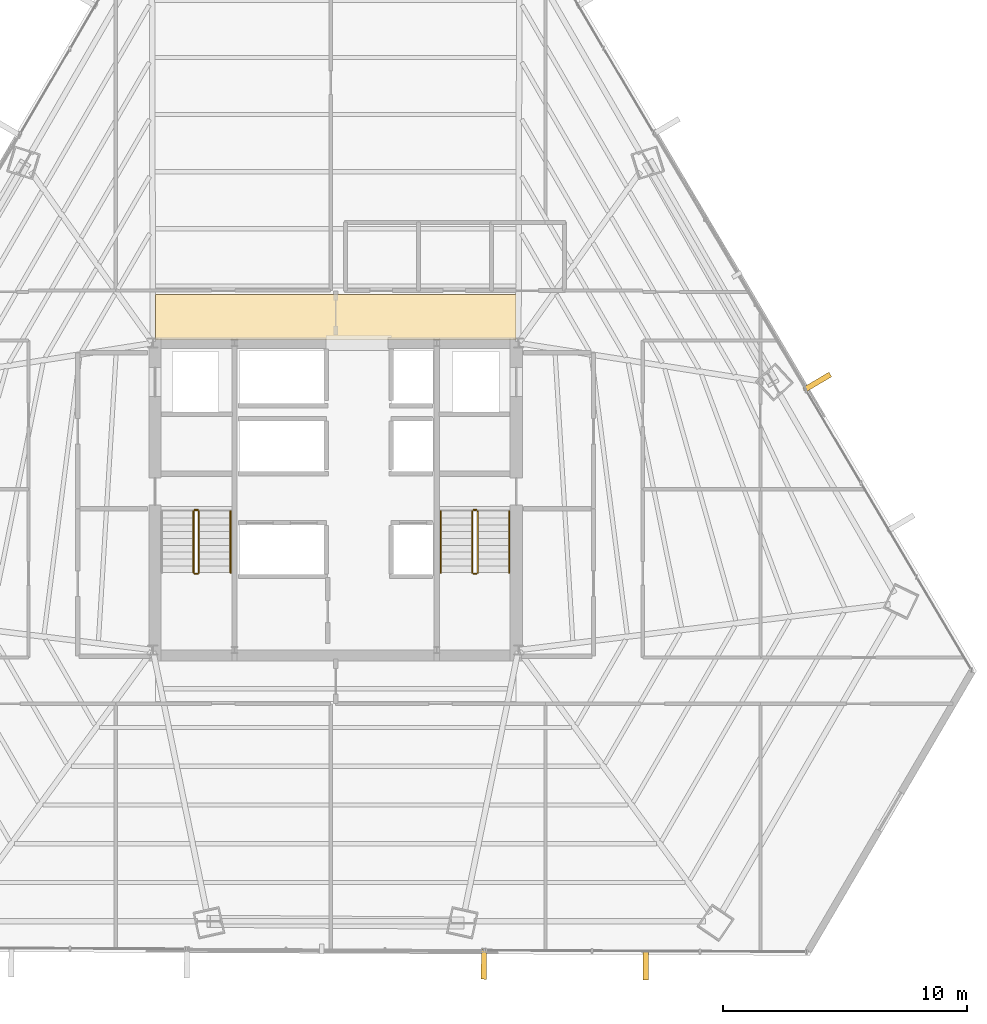
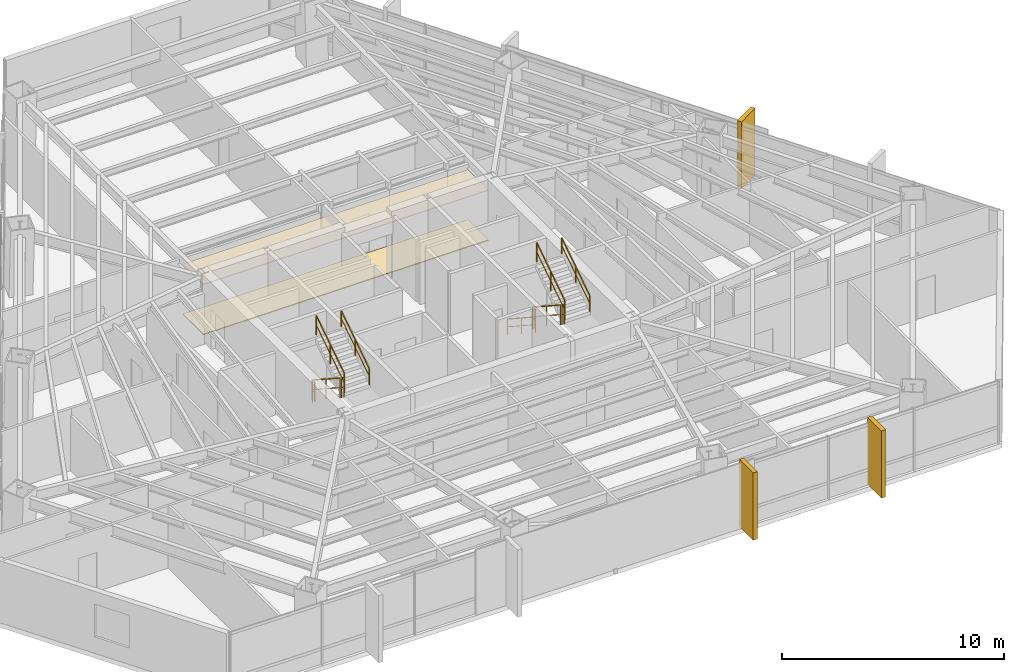
# One storey, part 34 of 35: 11 railings, 5 coverings.
"""IFC4 building model written with IfcOpenShell, lengths in metres."""

from ifc_helpers import new_model, si_unit, direction, frame, origin, origin_2d, place, context, subcontext, project, spatial, polyline, rectangle, outline, extrude, source, transform, mapped, material, layer, layer_set, type_object, type_shapes, element, save


model = new_model("IFC4")

# Units and contexts
model_context = context("Model", 3, precision=1e-05, world=origin(), true_north=direction((0.0, 1.0)))
body_context = subcontext(model_context, "Body", "Model", "MODEL_VIEW")
ifc_project = project(units=[si_unit("LENGTHUNIT", "METRE"), si_unit("AREAUNIT", "SQUARE_METRE"), si_unit("VOLUMEUNIT", "CUBIC_METRE"), si_unit("PLANEANGLEUNIT", "RADIAN"), si_unit("MASSUNIT", "GRAM", prefix="KILO")], contexts=[model_context])

# Site, building, storey
site_placement = place(None, origin())
site = spatial("IfcSite", under=ifc_project, at=site_placement, CompositionType="ELEMENT")
building_placement = place(site_placement, origin())
building = spatial("IfcBuilding", under=site, at=building_placement, Name="Caelisora Broadcast Tower", CompositionType="ELEMENT")
storey_placement = place(building_placement, frame((0.0, 0.0, 98.10009765625)))
storey = spatial("IfcBuildingStorey", under=building, at=storey_placement, Name="L25", CompositionType="ELEMENT", Elevation=98.10009765625)

# Coverings
ifc_material_1 = material(Name="Perforated Mineral-Fibre Acoustic Ceiling Tile", Category="gypsum")
ifc_layer_1 = layer(ifc_material_1, 0.034912109375, Name="Perforated Mineral-Fibre Acoustic Ceiling Tile")
ifc_layer_set_1 = layer_set([ifc_layer_1], Name="Perforated Mineral-Fibre Acoustic Ceiling Tile")
covering_type_1 = type_object("IfcCoveringType", Name="CE-1", PredefinedType="CEILING", material=ifc_layer_set_1)
covering_1_placement = place(storey_placement, frame((0.0, 0.0, 2.75)))
element("IfcCovering", 1, at=covering_1_placement, inside=storey, type_object=covering_type_1, Name="L25 acoustic corridor ceiling CE-1 (N)", PredefinedType="CEILING", context=body_context, shape_type="SweptSolid", body=[
    extrude(outline(polyline([(30.60009765625, 30.14990234375), (45.39990234375, 30.14990234375), (45.39990234375, 32.0), (30.60009765625, 32.0), (30.60009765625, 30.14990234375)])), origin(), (0.0, 0.0, 1.0), 0.034912109375),
])
ifc_material_2 = material(Name="Anti-Static Broadcast Raised Access Floor Panel", Category="steel")
ifc_layer_2 = layer(ifc_material_2, 0.044921875, Name="Anti-Static Broadcast Raised Access Floor Panel")
ifc_layer_set_2 = layer_set([ifc_layer_2], Name="Anti-Static Broadcast Raised Access Floor Panel")
covering_type_2 = type_object("IfcCoveringType", Name="FL-1", PredefinedType="FLOORING", material=ifc_layer_set_2)
covering_2_placement = place(storey_placement, origin())
element("IfcCovering", 2, at=covering_2_placement, inside=storey, type_object=covering_type_2, Name="L25 broadcast raised access floor FL-1 (N)", PredefinedType="FLOORING", context=body_context, shape_type="SweptSolid", body=[
    extrude(outline(polyline([(30.60009765625, 30.14990234375), (45.39990234375, 30.14990234375), (45.39990234375, 32.0), (30.60009765625, 32.0), (30.60009765625, 30.14990234375)])), origin(), (0.0, 0.0, 1.0), 0.044921875),
])

# Railings
ifc_material_3 = material(Name="Galvanised Steel Safety Guardrail", Category="steel")
ifc_layer_3 = layer(ifc_material_3, 0.048095703125, Name="Galvanised Steel Safety Guardrail")
ifc_layer_set_3 = layer_set([ifc_layer_3], Name="Galvanised Steel Safety Guardrail")
railing_type_1 = type_object("IfcRailingType", Name="GR-1", PredefinedType="GUARDRAIL", material=ifc_layer_set_3)
railing_1_placement = place(storey_placement, frame((32.169921875, 23.10009765625, 0.182373046875)))
element("IfcRailing", 3, at=railing_1_placement, inside=storey, type_object=railing_type_1, Name="L25 ST-1 stair guard 1", PredefinedType="GUARDRAIL", context=body_context, shape_type="SweptSolid", body=[
    extrude(rectangle(XDim=0.048095703125, YDim=0.048095703125, at=origin_2d()), frame((0.0, 0.0, 1.076171875), z_axis=(0.0, -0.837749427056, 0.546054848405), x_axis=(1.0, 0.0, 0.0)), (0.0, 0.0, 1.0), 3.008056640625),
    extrude(rectangle(XDim=0.03125, YDim=0.03125, at=origin_2d()), frame((0.0, 0.0, 0.550048828125), z_axis=(0.0, -0.837749427056, 0.546054848405), x_axis=(1.0, 0.0, 0.0)), (0.0, 0.0, 1.0), 3.008056640625),
    extrude(rectangle(XDim=0.0419921875, YDim=0.0419921875, at=origin_2d()), origin(), (0.0, 0.0, 1.0), 1.052001953125),
    extrude(rectangle(XDim=0.0419921875, YDim=0.0419921875, at=origin_2d()), frame((0.0, -1.260009765625, 0.8212890625)), (0.0, 0.0, 1.0), 1.052001953125),
    extrude(rectangle(XDim=0.0419921875, YDim=0.0419921875, at=origin_2d()), frame((0.0, -2.52001953125, 1.642578125)), (0.0, 0.0, 1.0), 1.052001953125),
])
railing_2_placement = place(storey_placement, frame((32.219970703125, 20.530029296875, 1.824951171875)))
element("IfcRailing", 4, at=railing_2_placement, inside=storey, type_object=railing_type_1, Name="L25 ST-1 stair guard 2", PredefinedType="GUARDRAIL", context=body_context, shape_type="SweptSolid", body=[
    extrude(rectangle(XDim=0.048095703125, YDim=0.048095703125, at=origin_2d()), frame((0.0, 0.0, 1.076171875), z_axis=(1.0, 0.0, 0.0), x_axis=(0.0, 1.0, 0.0)), (0.0, 0.0, 1.0), 0.1201171875),
    extrude(rectangle(XDim=0.03125, YDim=0.03125, at=origin_2d()), frame((0.0, 0.0, 0.550048828125), z_axis=(1.0, 0.0, 0.0), x_axis=(0.0, 1.0, 0.0)), (0.0, 0.0, 1.0), 0.1201171875),
    extrude(rectangle(XDim=0.0419921875, YDim=0.0419921875, at=origin_2d()), origin(), (0.0, 0.0, 1.0), 1.052001953125),
    extrude(rectangle(XDim=0.0419921875, YDim=0.0419921875, at=origin_2d()), frame((0.1201171875, 0.0, 0.0)), (0.0, 0.0, 1.0), 1.052001953125),
])
railing_3_placement = place(storey_placement, frame((32.389892578125, 20.580078125, 2.00732421875)))
element("IfcRailing", 5, at=railing_3_placement, inside=storey, type_object=railing_type_1, Name="L25 ST-1 stair guard 3", PredefinedType="GUARDRAIL", context=body_context, shape_type="SweptSolid", body=[
    extrude(rectangle(XDim=0.048095703125, YDim=0.048095703125, at=origin_2d()), frame((0.0, 0.0, 1.076171875), z_axis=(0.0, 0.837749427056, 0.546054848405), x_axis=(-1.0, 0.0, 0.0)), (0.0, 0.0, 1.0), 3.008056640625),
    extrude(rectangle(XDim=0.03125, YDim=0.03125, at=origin_2d()), frame((0.0, 0.0, 0.550048828125), z_axis=(0.0, 0.837749427056, 0.546054848405), x_axis=(-1.0, 0.0, 0.0)), (0.0, 0.0, 1.0), 3.008056640625),
    extrude(rectangle(XDim=0.0419921875, YDim=0.0419921875, at=origin_2d()), origin(), (0.0, 0.0, 1.0), 1.052001953125),
    extrude(rectangle(XDim=0.0419921875, YDim=0.0419921875, at=origin_2d()), frame((0.0, 1.260009765625, 0.8212890625)), (0.0, 0.0, 1.0), 1.052001953125),
    extrude(rectangle(XDim=0.0419921875, YDim=0.0419921875, at=origin_2d()), frame((0.0, 2.52001953125, 1.642578125)), (0.0, 0.0, 1.0), 1.052001953125),
])
railing_4_placement = place(storey_placement, frame((32.219970703125, 23.14990234375, 0.0)))
element("IfcRailing", 6, at=railing_4_placement, inside=storey, type_object=railing_type_1, Name="L25 ST-1 stair guard 4", PredefinedType="GUARDRAIL", context=body_context, shape_type="SweptSolid", body=[
    extrude(rectangle(XDim=0.048095703125, YDim=0.048095703125, at=origin_2d()), frame((0.0, 0.0, 1.076171875), z_axis=(1.0, 0.0, 0.0), x_axis=(0.0, 1.0, 0.0)), (0.0, 0.0, 1.0), 0.1201171875),
    extrude(rectangle(XDim=0.03125, YDim=0.03125, at=origin_2d()), frame((0.0, 0.0, 0.550048828125), z_axis=(1.0, 0.0, 0.0), x_axis=(0.0, 1.0, 0.0)), (0.0, 0.0, 1.0), 0.1201171875),
    extrude(rectangle(XDim=0.0419921875, YDim=0.0419921875, at=origin_2d()), origin(), (0.0, 0.0, 1.0), 1.052001953125),
    extrude(rectangle(XDim=0.0419921875, YDim=0.0419921875, at=origin_2d()), frame((0.1201171875, 0.0, 0.0)), (0.0, 0.0, 1.0), 1.052001953125),
])
railing_5_placement = place(storey_placement, frame((43.610107421875, 23.10009765625, 0.182373046875)))
element("IfcRailing", 7, at=railing_5_placement, inside=storey, type_object=railing_type_1, Name="L25 ST-2 stair guard 1", PredefinedType="GUARDRAIL", context=body_context, shape_type="SweptSolid", body=[
    extrude(rectangle(XDim=0.048095703125, YDim=0.048095703125, at=origin_2d()), frame((0.0, 0.0, 1.076171875), z_axis=(0.0, -0.837749427056, 0.546054848405), x_axis=(1.0, 0.0, 0.0)), (0.0, 0.0, 1.0), 3.008056640625),
    extrude(rectangle(XDim=0.03125, YDim=0.03125, at=origin_2d()), frame((0.0, 0.0, 0.550048828125), z_axis=(0.0, -0.837749427056, 0.546054848405), x_axis=(1.0, 0.0, 0.0)), (0.0, 0.0, 1.0), 3.008056640625),
    extrude(rectangle(XDim=0.0419921875, YDim=0.0419921875, at=origin_2d()), origin(), (0.0, 0.0, 1.0), 1.052001953125),
    extrude(rectangle(XDim=0.0419921875, YDim=0.0419921875, at=origin_2d()), frame((0.0, -1.260009765625, 0.8212890625)), (0.0, 0.0, 1.0), 1.052001953125),
    extrude(rectangle(XDim=0.0419921875, YDim=0.0419921875, at=origin_2d()), frame((0.0, -2.52001953125, 1.642578125)), (0.0, 0.0, 1.0), 1.052001953125),
])
railing_6_placement = place(storey_placement, frame((43.659912109375, 20.530029296875, 1.824951171875)))
element("IfcRailing", 8, at=railing_6_placement, inside=storey, type_object=railing_type_1, Name="L25 ST-2 stair guard 2", PredefinedType="GUARDRAIL", context=body_context, shape_type="SweptSolid", body=[
    extrude(rectangle(XDim=0.048095703125, YDim=0.048095703125, at=origin_2d()), frame((0.0, 0.0, 1.076171875), z_axis=(1.0, 0.0, 0.0), x_axis=(0.0, 1.0, 0.0)), (0.0, 0.0, 1.0), 0.1201171875),
    extrude(rectangle(XDim=0.03125, YDim=0.03125, at=origin_2d()), frame((0.0, 0.0, 0.550048828125), z_axis=(1.0, 0.0, 0.0), x_axis=(0.0, 1.0, 0.0)), (0.0, 0.0, 1.0), 0.1201171875),
    extrude(rectangle(XDim=0.0419921875, YDim=0.0419921875, at=origin_2d()), origin(), (0.0, 0.0, 1.0), 1.052001953125),
    extrude(rectangle(XDim=0.0419921875, YDim=0.0419921875, at=origin_2d()), frame((0.1201171875, 0.0, 0.0)), (0.0, 0.0, 1.0), 1.052001953125),
])
railing_7_placement = place(storey_placement, frame((43.830078125, 20.580078125, 2.00732421875)))
element("IfcRailing", 9, at=railing_7_placement, inside=storey, type_object=railing_type_1, Name="L25 ST-2 stair guard 3", PredefinedType="GUARDRAIL", context=body_context, shape_type="SweptSolid", body=[
    extrude(rectangle(XDim=0.048095703125, YDim=0.048095703125, at=origin_2d()), frame((0.0, 0.0, 1.076171875), z_axis=(0.0, 0.837749427056, 0.546054848405), x_axis=(-1.0, 0.0, 0.0)), (0.0, 0.0, 1.0), 3.008056640625),
    extrude(rectangle(XDim=0.03125, YDim=0.03125, at=origin_2d()), frame((0.0, 0.0, 0.550048828125), z_axis=(0.0, 0.837749427056, 0.546054848405), x_axis=(-1.0, 0.0, 0.0)), (0.0, 0.0, 1.0), 3.008056640625),
    extrude(rectangle(XDim=0.0419921875, YDim=0.0419921875, at=origin_2d()), origin(), (0.0, 0.0, 1.0), 1.052001953125),
    extrude(rectangle(XDim=0.0419921875, YDim=0.0419921875, at=origin_2d()), frame((0.0, 1.260009765625, 0.8212890625)), (0.0, 0.0, 1.0), 1.052001953125),
    extrude(rectangle(XDim=0.0419921875, YDim=0.0419921875, at=origin_2d()), frame((0.0, 2.52001953125, 1.642578125)), (0.0, 0.0, 1.0), 1.052001953125),
])
railing_8_placement = place(storey_placement, frame((43.659912109375, 23.14990234375, 0.0)))
element("IfcRailing", 10, at=railing_8_placement, inside=storey, type_object=railing_type_1, Name="L25 ST-2 stair guard 4", PredefinedType="GUARDRAIL", context=body_context, shape_type="SweptSolid", body=[
    extrude(rectangle(XDim=0.048095703125, YDim=0.048095703125, at=origin_2d()), frame((0.0, 0.0, 1.076171875), z_axis=(1.0, 0.0, 0.0), x_axis=(0.0, 1.0, 0.0)), (0.0, 0.0, 1.0), 0.1201171875),
    extrude(rectangle(XDim=0.03125, YDim=0.03125, at=origin_2d()), frame((0.0, 0.0, 0.550048828125), z_axis=(1.0, 0.0, 0.0), x_axis=(0.0, 1.0, 0.0)), (0.0, 0.0, 1.0), 0.1201171875),
    extrude(rectangle(XDim=0.0419921875, YDim=0.0419921875, at=origin_2d()), origin(), (0.0, 0.0, 1.0), 1.052001953125),
    extrude(rectangle(XDim=0.0419921875, YDim=0.0419921875, at=origin_2d()), frame((0.1201171875, 0.0, 0.0)), (0.0, 0.0, 1.0), 1.052001953125),
])
ifc_material_4 = material(Name="Stainless Steel Grade 316 Tubular Handrail", Category="steel")
ifc_layer_4 = layer(ifc_material_4, 0.048095703125, Name="Stainless Steel Grade 316 Tubular Handrail")
ifc_layer_set_4 = layer_set([ifc_layer_4], Name="Stainless Steel Grade 316 Tubular Handrail")
railing_type_2 = type_object("IfcRailingType", Name="HR-1", PredefinedType="HANDRAIL", material=ifc_layer_set_4)
railing_9_placement = place(storey_placement, frame((33.68994140625, 20.580078125, 2.00732421875)))
element("IfcRailing", 11, at=railing_9_placement, inside=storey, type_object=railing_type_2, Name="L25 ST-1 stair handrail 2", PredefinedType="HANDRAIL", context=body_context, shape_type="SweptSolid", body=[
    extrude(rectangle(XDim=0.048095703125, YDim=0.048095703125, at=origin_2d()), frame((0.0, 0.0, 0.8759765625), z_axis=(0.0, 0.837749427056, 0.546054848405), x_axis=(-1.0, 0.0, 0.0)), (0.0, 0.0, 1.0), 3.008056640625),
    extrude(rectangle(XDim=0.03125, YDim=0.03125, at=origin_2d()), frame((0.0, 0.0, 0.449951171875), z_axis=(0.0, 0.837749427056, 0.546054848405), x_axis=(-1.0, 0.0, 0.0)), (0.0, 0.0, 1.0), 3.008056640625),
    extrude(rectangle(XDim=0.0419921875, YDim=0.0419921875, at=origin_2d()), origin(), (0.0, 0.0, 1.0), 0.851806640625),
    extrude(rectangle(XDim=0.0419921875, YDim=0.0419921875, at=origin_2d()), frame((0.0, 1.260009765625, 0.8212890625)), (0.0, 0.0, 1.0), 0.851806640625),
    extrude(rectangle(XDim=0.0419921875, YDim=0.0419921875, at=origin_2d()), frame((0.0, 2.52001953125, 1.642578125)), (0.0, 0.0, 1.0), 0.851806640625),
])
railing_10_placement = place(storey_placement, frame((42.31005859375, 23.10009765625, 0.182373046875)))
element("IfcRailing", 12, at=railing_10_placement, inside=storey, type_object=railing_type_2, Name="L25 ST-2 stair handrail 1", PredefinedType="HANDRAIL", context=body_context, shape_type="SweptSolid", body=[
    extrude(rectangle(XDim=0.048095703125, YDim=0.048095703125, at=origin_2d()), frame((0.0, 0.0, 0.8759765625), z_axis=(0.0, -0.837749427056, 0.546054848405), x_axis=(1.0, 0.0, 0.0)), (0.0, 0.0, 1.0), 3.008056640625),
    extrude(rectangle(XDim=0.03125, YDim=0.03125, at=origin_2d()), frame((0.0, 0.0, 0.449951171875), z_axis=(0.0, -0.837749427056, 0.546054848405), x_axis=(1.0, 0.0, 0.0)), (0.0, 0.0, 1.0), 3.008056640625),
    extrude(rectangle(XDim=0.0419921875, YDim=0.0419921875, at=origin_2d()), origin(), (0.0, 0.0, 1.0), 0.851806640625),
    extrude(rectangle(XDim=0.0419921875, YDim=0.0419921875, at=origin_2d()), frame((0.0, -1.260009765625, 0.8212890625)), (0.0, 0.0, 1.0), 0.851806640625),
    extrude(rectangle(XDim=0.0419921875, YDim=0.0419921875, at=origin_2d()), frame((0.0, -2.52001953125, 1.642578125)), (0.0, 0.0, 1.0), 0.851806640625),
])
railing_11_placement = place(storey_placement, frame((45.1298828125, 20.580078125, 2.00732421875)))
element("IfcRailing", 13, at=railing_11_placement, inside=storey, type_object=railing_type_2, Name="L25 ST-2 stair handrail 2", PredefinedType="HANDRAIL", context=body_context, shape_type="SweptSolid", body=[
    extrude(rectangle(XDim=0.048095703125, YDim=0.048095703125, at=origin_2d()), frame((0.0, 0.0, 0.8759765625), z_axis=(0.0, 0.837749427056, 0.546054848405), x_axis=(-1.0, 0.0, 0.0)), (0.0, 0.0, 1.0), 3.008056640625),
    extrude(rectangle(XDim=0.03125, YDim=0.03125, at=origin_2d()), frame((0.0, 0.0, 0.449951171875), z_axis=(0.0, 0.837749427056, 0.546054848405), x_axis=(-1.0, 0.0, 0.0)), (0.0, 0.0, 1.0), 3.008056640625),
    extrude(rectangle(XDim=0.0419921875, YDim=0.0419921875, at=origin_2d()), origin(), (0.0, 0.0, 1.0), 0.851806640625),
    extrude(rectangle(XDim=0.0419921875, YDim=0.0419921875, at=origin_2d()), frame((0.0, 1.260009765625, 0.8212890625)), (0.0, 0.0, 1.0), 0.851806640625),
    extrude(rectangle(XDim=0.0419921875, YDim=0.0419921875, at=origin_2d()), frame((0.0, 2.52001953125, 1.642578125)), (0.0, 0.0, 1.0), 0.851806640625),
])

# Coverings
ifc_material_5 = material(Name="Kiln-Fired Terracotta Spandrel Rainscreen Cladding", Category="ceramic")
ifc_layer_5 = layer(ifc_material_5, 0.044921875, Name="Kiln-Fired Terracotta Spandrel Rainscreen Cladding")
ifc_layer_set_5 = layer_set([ifc_layer_5], Name="Kiln-Fired Terracotta Spandrel Rainscreen Cladding")
covering_type_3 = type_object("IfcCoveringType", Name="CL-1", PredefinedType="CLADDING", material=ifc_layer_set_5)
shared_shape = source(origin(), body_context, "Body", "SweptSolid", [
    extrude(rectangle(XDim=0.219970703125, YDim=1.25, at=origin_2d()), origin(), (0.0, 0.0, 1.0), 3.68994140625),
])
type_shapes(covering_type_3, [shared_shape])
for number, where, z_axis, x_axis, name in (
    (14, (57.762451171875, 28.39208984375, -0.02001953125), (0.0, 0.0, 1.0), (0.509341840379, -0.860564285593, 0.0), "L25 vertical solar fin cladding #1-3"),
    (15, (50.727783203125, 4.4873046875, -0.02001953125), (0.0, 0.0, 1.0), (-0.999989703949, 0.004537840481, 0.0), "L25 vertical solar fin cladding #2-1"),
    (16, (44.086181640625, 4.517578125, -0.02001953125), (0.0, 0.0, 1.0), (-0.999989703949, 0.004537840481, 0.0), "L25 vertical solar fin cladding #2-2"),
):
    element("IfcCovering", number, at=place(storey_placement, frame(where, z_axis=z_axis, x_axis=x_axis)), inside=storey, type_object=covering_type_3, Name=name, PredefinedType="CLADDING", context=body_context, shape_type="MappedRepresentation", body=[
        mapped(shared_shape, transform((0.0, 0.0, 0.0), scale=1.0)),
    ])

save(model, "model.ifc")
